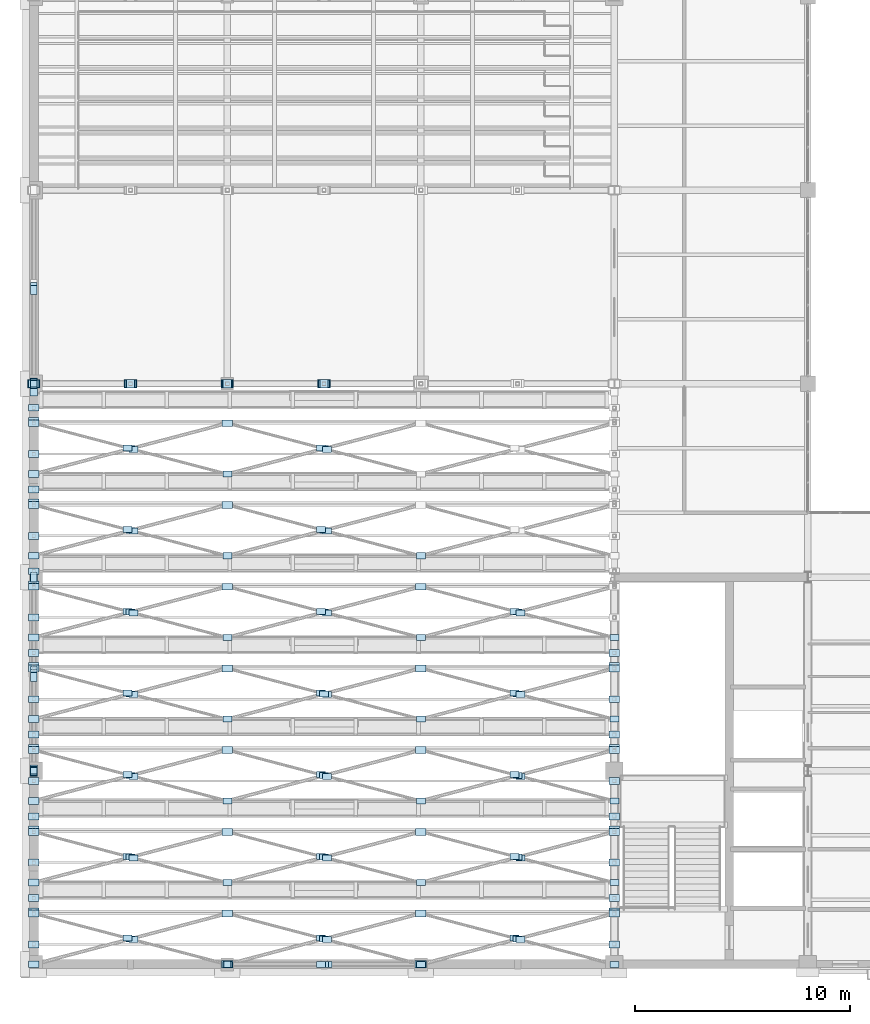
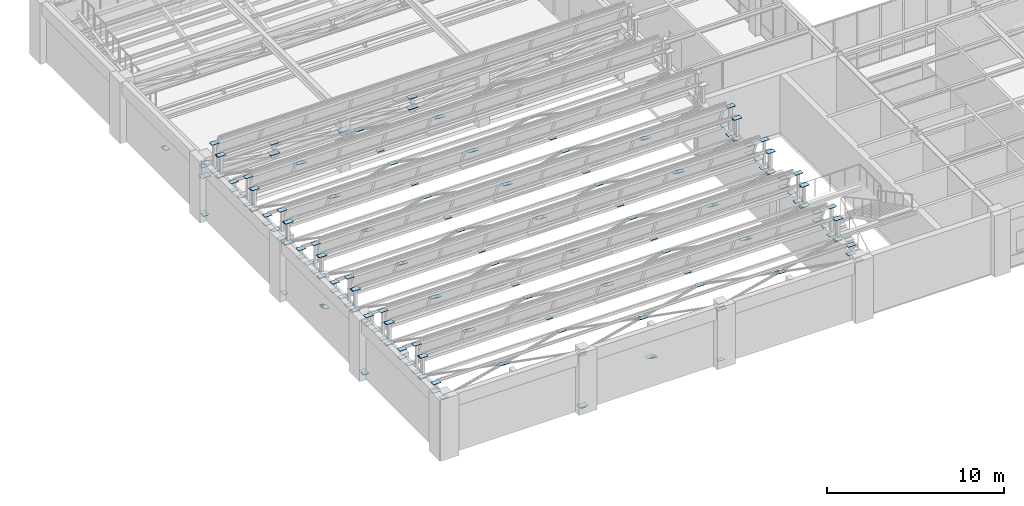
# One storey, part 87 of 108: 215 plates.
"""IFC4 building model written with IfcOpenShell, lengths in metres."""

import ifcopenshell
import ifcopenshell.guid

model = None  # the IFC model being written
_history = None  # IfcOwnerHistory: only IFC2X3 demands one
_inside = {}  # id of a spatial element -> (the spatial element, [elements in it])
_under = {}  # id of a project, library or spatial element -> (it, [spatial elements below it])
_declared = {}  # id of a project -> (the project, [libraries it declares])
_typed = {}  # id of a type object -> (the type object, [elements of that type])
_made_of = {}  # id of a material, layer set ... -> (it, [elements and type objects made of it])


def new_model(schema):
    """Start an empty IFC model of exactly this schema.

    Asked for "IFC4X3", IfcOpenShell would pick the latest addendum, in which some entities
    have other attributes; the version numbers below select the first issue.
    IFC2X3 requires an IfcOwnerHistory on every rooted entity: one is made here for all.
    """
    global model, _history
    if schema == "IFC4X3":
        model = ifcopenshell.file(schema_version=(4, 3, 0, 0))
    else:
        model = ifcopenshell.file(schema=schema)
    _inside.clear()
    _under.clear()
    _declared.clear()
    _typed.clear()
    _made_of.clear()
    _history = None
    if model.schema == "IFC2X3":
        org = make("IfcOrganization", Name="unknown")
        user = make(
            "IfcPersonAndOrganization",
            ThePerson=make("IfcPerson", FamilyName="unknown"),
            TheOrganization=org,
        )
        app = make(
            "IfcApplication",
            ApplicationDeveloper=org,
            Version="unknown",
            ApplicationFullName="unknown",
            ApplicationIdentifier="unknown",
        )
        _history = make(
            "IfcOwnerHistory",
            OwningUser=user,
            OwningApplication=app,
            ChangeAction="ADDED",
            CreationDate=0,
        )
    return model


def make(cls, **values):
    """One entity of the class cls with the attributes given. An attribute that is None is left unset."""
    return model.create_entity(
        cls, **{name: value for name, value in values.items() if value is not None}
    )


def rooted(cls, **values):
    """An entity with a GlobalId (a new one), such as an element, a storey or a relation."""
    return make(cls, GlobalId=ifcopenshell.guid.new(), OwnerHistory=_history, **values)


def si_unit(unit_type, name, prefix=None):
    """IfcSIUnit, for example si_unit("LENGTHUNIT", "METRE", prefix="MILLI")."""
    return make("IfcSIUnit", UnitType=unit_type, Prefix=prefix, Name=name)


def assignment(units):
    """IfcUnitAssignment: the units of a project."""
    return None if units is None else make("IfcUnitAssignment", Units=units)


def point(xyz):
    """IfcCartesianPoint."""
    return None if xyz is None else make("IfcCartesianPoint", Coordinates=xyz)


def direction(xyz):
    """IfcDirection."""
    return None if xyz is None else make("IfcDirection", DirectionRatios=xyz)


def frame(location, z_axis=None, x_axis=None):
    """IfcAxis2Placement3D, a coordinate frame: its origin and axes. An axis left out is left unset."""
    return make(
        "IfcAxis2Placement3D",
        Location=point(location),
        Axis=direction(z_axis),
        RefDirection=direction(x_axis),
    )


def frame_2d(location, x_axis=None):
    """IfcAxis2Placement2D, a coordinate frame in the plane: its origin and x axis."""
    return make(
        "IfcAxis2Placement2D", Location=point(location), RefDirection=direction(x_axis)
    )


def origin():
    """The frame at (0, 0, 0) with its axes left unset."""
    return frame((0.0, 0.0, 0.0))


def origin_2d():
    """The frame at (0, 0) in the plane with its x axis left unset."""
    return frame_2d((0.0, 0.0))


def place(relative_to, where):
    """IfcLocalPlacement: puts the frame where relative to a parent placement (None: the world)."""
    return make(
        "IfcLocalPlacement", PlacementRelTo=relative_to, RelativePlacement=where
    )


def context(
    kind, dimensions, precision=None, world=None, true_north=None, identifier=None
):
    """IfcGeometricRepresentationContext, for example the 3D "Model" context."""
    return make(
        "IfcGeometricRepresentationContext",
        ContextIdentifier=identifier,
        ContextType=kind,
        CoordinateSpaceDimension=dimensions,
        Precision=precision,
        WorldCoordinateSystem=world,
        TrueNorth=true_north,
    )


def subcontext(parent, identifier, kind, view, scale=None):
    """IfcGeometricRepresentationSubContext, for example "Body" below "Model"."""
    return make(
        "IfcGeometricRepresentationSubContext",
        ContextIdentifier=identifier,
        ContextType=kind,
        ParentContext=parent,
        TargetScale=scale,
        TargetView=view,
    )


def project(units=None, contexts=None):
    """IfcProject with its units and contexts."""
    return rooted(
        "IfcProject",
        Name="project",
        RepresentationContexts=contexts,
        UnitsInContext=assignment(units),
    )


def spatial(cls, under=None, at=None, **own):
    """A site, building, storey or space (cls), placed at a placement, below another one or the project."""
    s = rooted(cls, ObjectPlacement=at, **own)
    if under is not None:
        _under.setdefault(under.id(), (under, []))[1].append(s)
    return s


def profile(cls, at=None, kind="AREA", **sizes):
    """A parametric profile (cls). Its sizes go by their IFC names, for example OverallWidth=200.0."""
    return make(cls, ProfileType=kind, Position=at, **sizes)


def rectangle(**sizes):
    """IfcRectangleProfileDef."""
    return profile("IfcRectangleProfileDef", **sizes)


def extrude(swept, where, along, depth):
    """IfcExtrudedAreaSolid: the profile swept, set in the frame where, extruded along a direction by depth."""
    return make(
        "IfcExtrudedAreaSolid",
        SweptArea=swept,
        Position=where,
        ExtrudedDirection=direction(along),
        Depth=depth,
    )


def shape(context_of_items, identifier, shape_type, items):
    """IfcShapeRepresentation: the items that make up one representation, for example the "Body"."""
    return make(
        "IfcShapeRepresentation",
        ContextOfItems=context_of_items,
        RepresentationIdentifier=identifier,
        RepresentationType=shape_type,
        Items=items,
    )


def material(Name=None, Category=None):
    """IfcMaterial."""
    return make("IfcMaterial", Name=Name, Category=Category)


def layer(
    of_material, thickness, ventilated=None, Name=None, Category=None, Priority=None
):
    """IfcMaterialLayer: one layer of a wall or slab, of a material (None: an air gap)."""
    return make(
        "IfcMaterialLayer",
        Material=of_material,
        LayerThickness=thickness,
        IsVentilated=ventilated,
        Name=Name,
        Category=Category,
        Priority=Priority,
    )


def layer_set(layers, Name=None):
    """IfcMaterialLayerSet."""
    return make("IfcMaterialLayerSet", MaterialLayers=layers, LayerSetName=Name)


def made_of(thing, what):
    """Note that an element or type object is made of a material, layer set ...; save() writes the relation."""
    if what is not None:
        _made_of.setdefault(what.id(), (what, []))[1].append(thing)
    return thing


def type_object(cls, material=None, **own):
    """A type object (cls), such as IfcWallType, which elements share."""
    return made_of(rooted(cls, **own), material)


def element(
    cls,
    number,
    at=None,
    inside=None,
    cuts=None,
    type_object=None,
    material=None,
    context=None,
    identifier="Body",
    shape_type=None,
    held_by="IfcProductDefinitionShape",
    body=None,
    shapes=None,
    **own,
):
    """One element of the class cls, such as IfcWall. Its Tag is "e" and its number.

    at: its placement. inside: the storey or other place that contains it. cuts: it is an
    opening in that element (IfcRelVoidsElement). A single representation is given by context,
    identifier, shape_type and body (its items); several are given by shapes. held_by: the class
    of the entity that holds the representations. save() writes the other relations.
    """
    e = rooted(cls, Tag="e%d" % number, ObjectPlacement=at, **own)
    if body is not None:
        shapes = [shape(context, identifier, shape_type, body)]
    if shapes is not None:
        e.Representation = make(held_by, Representations=shapes)
    if inside is not None:
        _inside.setdefault(inside.id(), (inside, []))[1].append(e)
    if cuts is not None:
        rooted(
            "IfcRelVoidsElement", RelatingBuildingElement=cuts, RelatedOpeningElement=e
        )
    if type_object is not None:
        _typed.setdefault(type_object.id(), (type_object, []))[1].append(e)
    return made_of(e, material)


def aggregate(whole, parts):
    """IfcRelAggregates: a whole, such as a stair, and the parts it consists of."""
    return rooted("IfcRelAggregates", RelatingObject=whole, RelatedObjects=parts)


def save(model, path):
    """Write the relations noted so far, then the file.

    IfcRelAggregates (storeys below a building ...), IfcRelContainedInSpatialStructure (elements
    in a storey), IfcRelDefinesByType, IfcRelAssociatesMaterial and IfcRelDeclares: one each for
    every whole, place, type object, material and project.
    """
    for whole, parts in _under.values():
        aggregate(whole, parts)
    for where, things in _inside.values():
        rooted(
            "IfcRelContainedInSpatialStructure",
            RelatedElements=things,
            RelatingStructure=where,
        )
    for kind, things in _typed.values():
        rooted("IfcRelDefinesByType", RelatedObjects=things, RelatingType=kind)
    for what, things in _made_of.values():
        rooted("IfcRelAssociatesMaterial", RelatedObjects=things, RelatingMaterial=what)
    for by, libraries in _declared.values():
        rooted("IfcRelDeclares", RelatingContext=by, RelatedDefinitions=libraries)
    model.write(path)


model = new_model("IFC4")

# Units and contexts
model_context = context("Model", 3, precision=1e-05, world=origin(), true_north=direction((0.0, 1.0)))
body_context = subcontext(model_context, "Body", "Model", "MODEL_VIEW")
ifc_project = project(units=[si_unit("LENGTHUNIT", "METRE"), si_unit("AREAUNIT", "SQUARE_METRE"), si_unit("VOLUMEUNIT", "CUBIC_METRE"), si_unit("PLANEANGLEUNIT", "RADIAN"), si_unit("MASSUNIT", "GRAM", prefix="KILO")], contexts=[model_context])

# Site, building, storey
site_placement = place(None, origin())
site = spatial("IfcSite", under=ifc_project, at=site_placement, CompositionType="ELEMENT")
building_placement = place(site_placement, origin())
building = spatial("IfcBuilding", under=site, at=building_placement, Name="Lykobir Media Centre", CompositionType="ELEMENT")
storey_placement = place(building_placement, frame((0.0, 0.0, 15.0)))
storey = spatial("IfcBuildingStorey", under=building, at=storey_placement, Name="L03", CompositionType="ELEMENT", Elevation=15.0)

# Plates
ifc_material = material(Name="Steel S355", Category="steel")
ifc_layer_1 = layer(ifc_material, 0.01611328125, Name="Steel S355")
ifc_layer_set_1 = layer_set([ifc_layer_1], Name="Steel S355")
plate_type_1 = type_object("IfcPlateType", Name="CP-280", PredefinedType="SHEET", material=ifc_layer_set_1)
for number, where, z_axis, x_axis, name in (
    (1, (0.0, 9.0, 0.001953125), (0.0, 0.0, 1.0), (0.0, 1.0, 0.0), "Structural plate PLT-L03-0000-0090-0150"),
    (2, (0.0, 27.0, 0.001953125), (0.0, 0.0, 1.0), (0.0, 1.0, 0.0), "Structural plate PLT-L03-0000-0270-0150"),
    (3, (9.0, 0.0, 0.001953125), (0.0, 0.0, 1.0), (1.0, 0.0, 0.0), "Structural plate PLT-L03-0090-0000-0150"),
):
    element("IfcPlate", number, at=place(storey_placement, frame(where, z_axis=z_axis, x_axis=x_axis)), inside=storey, type_object=plate_type_1, Name=name, PredefinedType="SHEET", context=body_context, shape_type="SweptSolid", body=[
        extrude(rectangle(XDim=0.300048828125, YDim=0.300048828125, at=origin_2d()), origin(), (0.0, 0.0, 1.0), 0.01611328125),
    ])
ifc_layer_2 = layer(ifc_material, 0.02001953125, Name="Steel S355")
ifc_layer_set_2 = layer_set([ifc_layer_2], Name="Steel S355")
plate_type_2 = type_object("IfcPlateType", Name="CP-320", PredefinedType="SHEET", material=ifc_layer_set_2)
plate_placement = place(storey_placement, frame((0.0, 26.60009765625, 3.830078125), z_axis=(0.0, 0.0, 1.0), x_axis=(1.0, 0.0, 0.0)))
element("IfcPlate", 4, at=plate_placement, inside=storey, type_object=plate_type_2, Name="Structural plate PLT-L03-0000-0266-0188", PredefinedType="SHEET", context=body_context, shape_type="SweptSolid", body=[
    extrude(rectangle(XDim=0.360107421875, YDim=0.360107421875, at=origin_2d()), origin(), (0.0, 0.0, 1.0), 0.02001953125),
])
ifc_layer_3 = layer(ifc_material, 0.02197265625, Name="Steel S355")
ifc_layer_set_3 = layer_set([ifc_layer_3], Name="Steel S355")
plate_type_3 = type_object("IfcPlateType", Name="CP-360", PredefinedType="SHEET", material=ifc_layer_set_3)
for number, where, z_axis, x_axis, name in (
    (5, (4.5, 27.0, 2.448974609375), (0.0, 0.0, 1.0), (1.0, 0.0, 0.0), "Structural plate PLT-L03-0045-0270-0175"),
    (6, (9.0, 27.0, 2.448974609375), (0.0, 0.0, 1.0), (1.0, 0.0, 0.0), "Structural plate PLT-L03-0090-0270-0175"),
    (7, (13.5, 27.0, 2.448974609375), (0.0, 0.0, 1.0), (1.0, 0.0, 0.0), "Structural plate PLT-L03-0135-0270-0175"),
):
    element("IfcPlate", number, at=place(storey_placement, frame(where, z_axis=z_axis, x_axis=x_axis)), inside=storey, type_object=plate_type_3, Name=name, PredefinedType="SHEET", context=body_context, shape_type="SweptSolid", body=[
        extrude(rectangle(XDim=0.3798828125, YDim=0.3798828125, at=origin_2d()), origin(), (0.0, 0.0, 1.0), 0.02197265625),
    ])
ifc_layer_4 = layer(ifc_material, 0.02001953125, Name="Steel S355")
ifc_layer_set_4 = layer_set([ifc_layer_4], Name="Steel S355")
plate_type_4 = type_object("IfcPlateType", Name="GP-420", PredefinedType="USERDEFINED", material=ifc_layer_set_4)
for number, where, z_axis, x_axis, name in (
    (8, (4.5, 1.1806640625, 3.830078125), (0.0, 0.0, 1.0), (1.0, 0.0, 0.0), "Structural plate PLT-L03-0045-0012-0188"),
    (9, (9.0, 0.0, 3.830078125), (0.0, 0.0, 1.0), (1.0, 0.0, 0.0), "Structural plate PLT-L03-0090-0000-0188"),
    (10, (4.635498046875, 1.14501953125, 3.830078125), (0.0, 0.0, 1.0), (1.0, 0.0, 0.0), "Structural plate PLT-L03-0046-0011-0188"),
    (11, (4.364501953125, 1.216064453125, 3.830078125), (0.0, 0.0, 1.0), (1.0, 0.0, 0.0), "Structural plate PLT-L03-0044-0012-0188"),
    (12, (13.5, 1.1806640625, 3.830078125), (0.0, 0.0, 1.0), (1.0, 0.0, 0.0), "Structural plate PLT-L03-0135-0012-0188"),
    (13, (18.0, 0.0, 3.830078125), (0.0, 0.0, 1.0), (1.0, 0.0, 0.0), "Structural plate PLT-L03-0180-0000-0188"),
    (14, (13.635498046875, 1.14501953125, 3.830078125), (0.0, 0.0, 1.0), (1.0, 0.0, 0.0), "Structural plate PLT-L03-0136-0011-0188"),
    (15, (13.364501953125, 1.216064453125, 3.830078125), (0.0, 0.0, 1.0), (1.0, 0.0, 0.0), "Structural plate PLT-L03-0134-0012-0188"),
    (16, (22.5, 1.1806640625, 3.830078125), (0.0, 0.0, 1.0), (1.0, 0.0, 0.0), "Structural plate PLT-L03-0225-0012-0188"),
    (17, (27.0, 0.0, 3.830078125), (0.0, 0.0, 1.0), (1.0, 0.0, 0.0), "Structural plate PLT-L03-0270-0000-0188"),
    (18, (22.635498046875, 1.14501953125, 3.830078125), (0.0, 0.0, 1.0), (1.0, 0.0, 0.0), "Structural plate PLT-L03-0226-0011-0188"),
    (19, (22.364501953125, 1.216064453125, 3.830078125), (0.0, 0.0, 1.0), (1.0, 0.0, 0.0), "Structural plate PLT-L03-0224-0012-0188"),
    (20, (27.0, 3.800048828125, 3.830078125), (0.0, 0.0, 1.0), (1.0, 0.0, 0.0), "Structural plate PLT-L03-0270-0038-0188"),
    (21, (4.5, 4.980712890625, 3.830078125), (0.0, 0.0, 1.0), (1.0, 0.0, 0.0), "Structural plate PLT-L03-0045-0050-0188"),
    (22, (9.0, 3.800048828125, 3.830078125), (0.0, 0.0, 1.0), (1.0, 0.0, 0.0), "Structural plate PLT-L03-0090-0038-0188"),
    (23, (4.635498046875, 4.945068359375, 3.830078125), (0.0, 0.0, 1.0), (1.0, 0.0, 0.0), "Structural plate PLT-L03-0046-0049-0188"),
    (24, (4.364501953125, 5.01611328125, 3.830078125), (0.0, 0.0, 1.0), (1.0, 0.0, 0.0), "Structural plate PLT-L03-0044-0050-0188"),
    (25, (13.5, 4.980712890625, 3.830078125), (0.0, 0.0, 1.0), (1.0, 0.0, 0.0), "Structural plate PLT-L03-0135-0050-0188"),
    (26, (18.0, 3.800048828125, 3.830078125), (0.0, 0.0, 1.0), (1.0, 0.0, 0.0), "Structural plate PLT-L03-0180-0038-0188"),
    (27, (13.635498046875, 4.945068359375, 3.830078125), (0.0, 0.0, 1.0), (1.0, 0.0, 0.0), "Structural plate PLT-L03-0136-0049-0188"),
    (28, (13.364501953125, 5.01611328125, 3.830078125), (0.0, 0.0, 1.0), (1.0, 0.0, 0.0), "Structural plate PLT-L03-0134-0050-0188"),
    (29, (22.5, 4.980712890625, 3.830078125), (0.0, 0.0, 1.0), (1.0, 0.0, 0.0), "Structural plate PLT-L03-0225-0050-0188"),
    (30, (22.635498046875, 4.945068359375, 3.830078125), (0.0, 0.0, 1.0), (1.0, 0.0, 0.0), "Structural plate PLT-L03-0226-0049-0188"),
    (31, (22.364501953125, 5.01611328125, 3.830078125), (0.0, 0.0, 1.0), (1.0, 0.0, 0.0), "Structural plate PLT-L03-0224-0050-0188"),
    (32, (27.0, 7.60009765625, 3.830078125), (0.0, 0.0, 1.0), (1.0, 0.0, 0.0), "Structural plate PLT-L03-0270-0076-0188"),
    (33, (4.5, 8.780517578125, 3.830078125), (0.0, 0.0, 1.0), (1.0, 0.0, 0.0), "Structural plate PLT-L03-0045-0088-0188"),
    (34, (9.0, 7.60009765625, 3.830078125), (0.0, 0.0, 1.0), (1.0, 0.0, 0.0), "Structural plate PLT-L03-0090-0076-0188"),
    (35, (4.635498046875, 8.7451171875, 3.830078125), (0.0, 0.0, 1.0), (1.0, 0.0, 0.0), "Structural plate PLT-L03-0046-0087-0188"),
    (36, (4.364501953125, 8.816162109375, 3.830078125), (0.0, 0.0, 1.0), (1.0, 0.0, 0.0), "Structural plate PLT-L03-0044-0088-0188"),
    (37, (13.5, 8.780517578125, 3.830078125), (0.0, 0.0, 1.0), (1.0, 0.0, 0.0), "Structural plate PLT-L03-0135-0088-0188"),
    (38, (18.0, 7.60009765625, 3.830078125), (0.0, 0.0, 1.0), (1.0, 0.0, 0.0), "Structural plate PLT-L03-0180-0076-0188"),
    (39, (13.635498046875, 8.7451171875, 3.830078125), (0.0, 0.0, 1.0), (1.0, 0.0, 0.0), "Structural plate PLT-L03-0136-0087-0188"),
    (40, (13.364501953125, 8.816162109375, 3.830078125), (0.0, 0.0, 1.0), (1.0, 0.0, 0.0), "Structural plate PLT-L03-0134-0088-0188"),
    (41, (22.5, 8.780517578125, 3.830078125), (0.0, 0.0, 1.0), (1.0, 0.0, 0.0), "Structural plate PLT-L03-0225-0088-0188"),
    (42, (22.635498046875, 8.7451171875, 3.830078125), (0.0, 0.0, 1.0), (1.0, 0.0, 0.0), "Structural plate PLT-L03-0226-0087-0188"),
    (43, (22.364501953125, 8.816162109375, 3.830078125), (0.0, 0.0, 1.0), (1.0, 0.0, 0.0), "Structural plate PLT-L03-0224-0088-0188"),
    (44, (27.0, 11.39990234375, 3.830078125), (0.0, 0.0, 1.0), (1.0, 0.0, 0.0), "Structural plate PLT-L03-0270-0114-0188"),
    (45, (4.5, 12.580810546875, 3.830078125), (0.0, 0.0, 1.0), (1.0, 0.0, 0.0), "Structural plate PLT-L03-0045-0126-0188"),
    (46, (9.0, 11.39990234375, 3.830078125), (0.0, 0.0, 1.0), (1.0, 0.0, 0.0), "Structural plate PLT-L03-0090-0114-0188"),
    (47, (4.635498046875, 12.545166015625, 3.830078125), (0.0, 0.0, 1.0), (1.0, 0.0, 0.0), "Structural plate PLT-L03-0046-0125-0188"),
    (48, (4.364501953125, 12.6162109375, 3.830078125), (0.0, 0.0, 1.0), (1.0, 0.0, 0.0), "Structural plate PLT-L03-0044-0126-0188"),
    (49, (13.5, 12.580810546875, 3.830078125), (0.0, 0.0, 1.0), (1.0, 0.0, 0.0), "Structural plate PLT-L03-0135-0126-0188"),
    (50, (18.0, 11.39990234375, 3.830078125), (0.0, 0.0, 1.0), (1.0, 0.0, 0.0), "Structural plate PLT-L03-0180-0114-0188"),
    (51, (13.635498046875, 12.545166015625, 3.830078125), (0.0, 0.0, 1.0), (1.0, 0.0, 0.0), "Structural plate PLT-L03-0136-0125-0188"),
    (52, (13.364501953125, 12.6162109375, 3.830078125), (0.0, 0.0, 1.0), (1.0, 0.0, 0.0), "Structural plate PLT-L03-0134-0126-0188"),
    (53, (22.5, 12.580810546875, 3.830078125), (0.0, 0.0, 1.0), (1.0, 0.0, 0.0), "Structural plate PLT-L03-0225-0126-0188"),
    (54, (22.635498046875, 12.545166015625, 3.830078125), (0.0, 0.0, 1.0), (1.0, 0.0, 0.0), "Structural plate PLT-L03-0226-0125-0188"),
    (55, (22.364501953125, 12.6162109375, 3.830078125), (0.0, 0.0, 1.0), (1.0, 0.0, 0.0), "Structural plate PLT-L03-0224-0126-0188"),
    (56, (27.0, 15.199951171875, 3.830078125), (0.0, 0.0, 1.0), (1.0, 0.0, 0.0), "Structural plate PLT-L03-0270-0152-0188"),
    (57, (4.5, 16.380615234375, 3.830078125), (0.0, 0.0, 1.0), (1.0, 0.0, 0.0), "Structural plate PLT-L03-0045-0164-0188"),
    (58, (9.0, 15.199951171875, 3.830078125), (0.0, 0.0, 1.0), (1.0, 0.0, 0.0), "Structural plate PLT-L03-0090-0152-0188"),
    (59, (4.635498046875, 16.34521484375, 3.830078125), (0.0, 0.0, 1.0), (1.0, 0.0, 0.0), "Structural plate PLT-L03-0046-0163-0188"),
    (60, (4.364501953125, 16.416015625, 3.830078125), (0.0, 0.0, 1.0), (1.0, 0.0, 0.0), "Structural plate PLT-L03-0044-0164-0188"),
    (61, (13.5, 16.380615234375, 3.830078125), (0.0, 0.0, 1.0), (1.0, 0.0, 0.0), "Structural plate PLT-L03-0135-0164-0188"),
    (62, (18.0, 15.199951171875, 3.830078125), (0.0, 0.0, 1.0), (1.0, 0.0, 0.0), "Structural plate PLT-L03-0180-0152-0188"),
    (63, (13.635498046875, 16.34521484375, 3.830078125), (0.0, 0.0, 1.0), (1.0, 0.0, 0.0), "Structural plate PLT-L03-0136-0163-0188"),
    (64, (13.364501953125, 16.416015625, 3.830078125), (0.0, 0.0, 1.0), (1.0, 0.0, 0.0), "Structural plate PLT-L03-0134-0164-0188"),
    (65, (22.5, 16.380615234375, 3.830078125), (0.0, 0.0, 1.0), (1.0, 0.0, 0.0), "Structural plate PLT-L03-0225-0164-0188"),
    (66, (22.635498046875, 16.34521484375, 3.830078125), (0.0, 0.0, 1.0), (1.0, 0.0, 0.0), "Structural plate PLT-L03-0226-0163-0188"),
    (67, (22.364501953125, 16.416015625, 3.830078125), (0.0, 0.0, 1.0), (1.0, 0.0, 0.0), "Structural plate PLT-L03-0224-0164-0188"),
    (68, (4.5, 20.1806640625, 3.830078125), (0.0, 0.0, 1.0), (1.0, 0.0, 0.0), "Structural plate PLT-L03-0045-0202-0188"),
    (69, (9.0, 19.0, 3.830078125), (0.0, 0.0, 1.0), (1.0, 0.0, 0.0), "Structural plate PLT-L03-0090-0190-0188"),
    (70, (4.635498046875, 20.14501953125, 3.830078125), (0.0, 0.0, 1.0), (1.0, 0.0, 0.0), "Structural plate PLT-L03-0046-0201-0188"),
    (71, (4.364501953125, 20.216064453125, 3.830078125), (0.0, 0.0, 1.0), (1.0, 0.0, 0.0), "Structural plate PLT-L03-0044-0202-0188"),
    (72, (13.5, 20.1806640625, 3.830078125), (0.0, 0.0, 1.0), (1.0, 0.0, 0.0), "Structural plate PLT-L03-0135-0202-0188"),
    (73, (18.0, 19.0, 3.830078125), (0.0, 0.0, 1.0), (1.0, 0.0, 0.0), "Structural plate PLT-L03-0180-0190-0188"),
    (74, (13.635498046875, 20.14501953125, 3.830078125), (0.0, 0.0, 1.0), (1.0, 0.0, 0.0), "Structural plate PLT-L03-0136-0201-0188"),
    (75, (13.364501953125, 20.216064453125, 3.830078125), (0.0, 0.0, 1.0), (1.0, 0.0, 0.0), "Structural plate PLT-L03-0134-0202-0188"),
    (76, (4.5, 23.980712890625, 3.830078125), (0.0, 0.0, 1.0), (1.0, 0.0, 0.0), "Structural plate PLT-L03-0045-0240-0188"),
    (77, (9.0, 22.800048828125, 3.830078125), (0.0, 0.0, 1.0), (1.0, 0.0, 0.0), "Structural plate PLT-L03-0090-0228-0188"),
    (78, (4.635498046875, 23.9453125, 3.830078125), (0.0, 0.0, 1.0), (1.0, 0.0, 0.0), "Structural plate PLT-L03-0046-0239-0188"),
    (79, (4.364501953125, 24.01611328125, 3.830078125), (0.0, 0.0, 1.0), (1.0, 0.0, 0.0), "Structural plate PLT-L03-0044-0240-0188"),
    (80, (13.5, 23.980712890625, 3.830078125), (0.0, 0.0, 1.0), (1.0, 0.0, 0.0), "Structural plate PLT-L03-0135-0240-0188"),
    (81, (13.635498046875, 23.9453125, 3.830078125), (0.0, 0.0, 1.0), (1.0, 0.0, 0.0), "Structural plate PLT-L03-0136-0239-0188"),
    (82, (13.364501953125, 24.01611328125, 3.830078125), (0.0, 0.0, 1.0), (1.0, 0.0, 0.0), "Structural plate PLT-L03-0134-0240-0188"),
    (83, (0.0, 13.5, 1.869873046875), (0.0, 0.0, 1.0), (0.0, 1.0, 0.0), "Structural plate PLT-L03-0000-0135-0169"),
    (84, (0.0, 18.0, 0.110107421875), (0.0, 0.0, 1.0), (0.0, 1.0, 0.0), "Structural plate PLT-L03-0000-0180-0151"),
    (85, (0.0, 13.64892578125, 1.811767578125), (0.0, 0.0, 1.0), (0.0, 1.0, 0.0), "Structural plate PLT-L03-0000-0136-0168"),
    (86, (0.0, 13.35107421875, 1.92822265625), (0.0, 0.0, 1.0), (0.0, 1.0, 0.0), "Structural plate PLT-L03-0000-0134-0169"),
    (87, (0.0, 9.0, 3.6298828125), (0.0, 0.0, 1.0), (0.0, 1.0, 0.0), "Structural plate PLT-L03-0000-0090-0186"),
    (88, (0.0, 31.5, 1.869873046875), (0.0, 0.0, 1.0), (0.0, 1.0, 0.0), "Structural plate PLT-L03-0000-0315-0169"),
    (89, (0.0, 31.35107421875, 1.92822265625), (0.0, 0.0, 1.0), (0.0, 1.0, 0.0), "Structural plate PLT-L03-0000-0314-0169"),
    (90, (0.0, 27.0, 3.6298828125), (0.0, 0.0, 1.0), (0.0, 1.0, 0.0), "Structural plate PLT-L03-0000-0270-0186"),
    (91, (13.5, 0.0, 1.869873046875), (0.0, 0.0, 1.0), (1.0, 0.0, 0.0), "Structural plate PLT-L03-0135-0000-0169"),
    (92, (18.0, 0.0, 0.110107421875), (0.0, 0.0, 1.0), (1.0, 0.0, 0.0), "Structural plate PLT-L03-0180-0000-0151"),
    (93, (13.64892578125, 0.0, 1.811767578125), (0.0, 0.0, 1.0), (1.0, 0.0, 0.0), "Structural plate PLT-L03-0136-0000-0168"),
    (94, (13.35107421875, 0.0, 1.92822265625), (0.0, 0.0, 1.0), (1.0, 0.0, 0.0), "Structural plate PLT-L03-0134-0000-0169"),
    (95, (9.0, 0.0, 3.6298828125), (0.0, 0.0, 1.0), (1.0, 0.0, 0.0), "Structural plate PLT-L03-0090-0000-0186"),
):
    element("IfcPlate", number, at=place(storey_placement, frame(where, z_axis=z_axis, x_axis=x_axis)), inside=storey, type_object=plate_type_4, Name=name, ObjectType="GUSSET_PLATE", PredefinedType="USERDEFINED", context=body_context, shape_type="SweptSolid", body=[
        extrude(rectangle(XDim=0.419921875, YDim=0.280029296875, at=origin_2d()), origin(), (0.0, 0.0, 1.0), 0.02001953125),
    ])
ifc_layer_5 = layer(ifc_material, 0.02392578125, Name="Steel S355")
ifc_layer_set_5 = layer_set([ifc_layer_5], Name="Steel S355")
plate_type_5 = type_object("IfcPlateType", Name="GP-480", PredefinedType="USERDEFINED", material=ifc_layer_set_5)
for number, where, z_axis, x_axis, name in (
    (96, (0.0, 3.081298828125, 3.68798828125), (0.0, 0.0, 1.0), (1.0, 0.0, 0.0), "Structural plate PLT-L03-0000-0031-0187"),
    (97, (0.0, 3.081298828125, 5.616943359375), (0.0, 0.0, 1.0), (1.0, 0.0, 0.0), "Structural plate PLT-L03-0000-0031-0206"),
    (98, (27.0, 3.081298828125, 3.68798828125), (0.0, 0.0, 1.0), (1.0, 0.0, 0.0), "Structural plate PLT-L03-0270-0031-0187"),
    (99, (27.0, 3.081298828125, 5.616943359375), (0.0, 0.0, 1.0), (1.0, 0.0, 0.0), "Structural plate PLT-L03-0270-0031-0206"),
    (100, (0.0, 2.361328125, 3.828125), (0.0, 0.0, 1.0), (1.0, 0.0, 0.0), "Structural plate PLT-L03-0000-0024-0188"),
    (101, (0.0, 2.361328125, 5.2314453125), (0.0, 0.0, 1.0), (1.0, 0.0, 0.0), "Structural plate PLT-L03-0000-0024-0202"),
    (102, (27.0, 2.361328125, 3.828125), (0.0, 0.0, 1.0), (1.0, 0.0, 0.0), "Structural plate PLT-L03-0270-0024-0188"),
    (103, (27.0, 2.361328125, 5.2314453125), (0.0, 0.0, 1.0), (1.0, 0.0, 0.0), "Structural plate PLT-L03-0270-0024-0202"),
    (104, (0.0, 0.0, 3.828125), (0.0, 0.0, 1.0), (1.0, 0.0, 0.0), "Structural plate PLT-L03-0000-0000-0188"),
    (105, (9.0, 2.361328125, 3.828125), (0.0, 0.0, 1.0), (1.0, 0.0, 0.0), "Structural plate PLT-L03-0090-0024-0188"),
    (106, (18.0, 2.361328125, 3.828125), (0.0, 0.0, 1.0), (1.0, 0.0, 0.0), "Structural plate PLT-L03-0180-0024-0188"),
    (107, (0.0, 0.92724609375, 3.68798828125), (0.0, 0.0, 1.0), (1.0, 0.0, 0.0), "Structural plate PLT-L03-0000-0009-0187"),
    (108, (0.0, 0.92724609375, 4.270751953125), (0.0, 0.0, 1.0), (1.0, 0.0, 0.0), "Structural plate PLT-L03-0000-0009-0193"),
    (109, (27.0, 0.92724609375, 3.68798828125), (0.0, 0.0, 1.0), (1.0, 0.0, 0.0), "Structural plate PLT-L03-0270-0009-0187"),
    (110, (27.0, 0.92724609375, 4.270751953125), (0.0, 0.0, 1.0), (1.0, 0.0, 0.0), "Structural plate PLT-L03-0270-0009-0193"),
    (111, (0.0, 2.468017578125, 3.68798828125), (0.0, 0.0, 1.0), (1.0, 0.0, 0.0), "Structural plate PLT-L03-0000-0025-0187"),
    (112, (0.0, 2.468017578125, 5.160400390625), (0.0, 0.0, 1.0), (1.0, 0.0, 0.0), "Structural plate PLT-L03-0000-0025-0202"),
    (113, (27.0, 2.468017578125, 3.68798828125), (0.0, 0.0, 1.0), (1.0, 0.0, 0.0), "Structural plate PLT-L03-0270-0025-0187"),
    (114, (27.0, 2.468017578125, 5.160400390625), (0.0, 0.0, 1.0), (1.0, 0.0, 0.0), "Structural plate PLT-L03-0270-0025-0202"),
    (115, (0.0, 3.800048828125, 3.828125), (0.0, 0.0, 1.0), (1.0, 0.0, 0.0), "Structural plate PLT-L03-0000-0038-0188"),
    (116, (0.0, 6.88134765625, 3.68798828125), (0.0, 0.0, 1.0), (1.0, 0.0, 0.0), "Structural plate PLT-L03-0000-0069-0187"),
    (117, (0.0, 6.88134765625, 5.616943359375), (0.0, 0.0, 1.0), (1.0, 0.0, 0.0), "Structural plate PLT-L03-0000-0069-0206"),
    (118, (27.0, 6.88134765625, 3.68798828125), (0.0, 0.0, 1.0), (1.0, 0.0, 0.0), "Structural plate PLT-L03-0270-0069-0187"),
    (119, (27.0, 6.88134765625, 5.616943359375), (0.0, 0.0, 1.0), (1.0, 0.0, 0.0), "Structural plate PLT-L03-0270-0069-0206"),
    (120, (0.0, 6.161376953125, 3.828125), (0.0, 0.0, 1.0), (1.0, 0.0, 0.0), "Structural plate PLT-L03-0000-0062-0188"),
    (121, (0.0, 6.161376953125, 5.2314453125), (0.0, 0.0, 1.0), (1.0, 0.0, 0.0), "Structural plate PLT-L03-0000-0062-0202"),
    (122, (27.0, 6.161376953125, 3.828125), (0.0, 0.0, 1.0), (1.0, 0.0, 0.0), "Structural plate PLT-L03-0270-0062-0188"),
    (123, (27.0, 6.161376953125, 5.2314453125), (0.0, 0.0, 1.0), (1.0, 0.0, 0.0), "Structural plate PLT-L03-0270-0062-0202"),
    (124, (9.0, 6.161376953125, 3.828125), (0.0, 0.0, 1.0), (1.0, 0.0, 0.0), "Structural plate PLT-L03-0090-0062-0188"),
    (125, (18.0, 6.161376953125, 3.828125), (0.0, 0.0, 1.0), (1.0, 0.0, 0.0), "Structural plate PLT-L03-0180-0062-0188"),
    (126, (0.0, 4.727294921875, 3.68798828125), (0.0, 0.0, 1.0), (1.0, 0.0, 0.0), "Structural plate PLT-L03-0000-0047-0187"),
    (127, (0.0, 4.727294921875, 4.270751953125), (0.0, 0.0, 1.0), (1.0, 0.0, 0.0), "Structural plate PLT-L03-0000-0047-0193"),
    (128, (27.0, 4.727294921875, 3.68798828125), (0.0, 0.0, 1.0), (1.0, 0.0, 0.0), "Structural plate PLT-L03-0270-0047-0187"),
    (129, (27.0, 4.727294921875, 4.270751953125), (0.0, 0.0, 1.0), (1.0, 0.0, 0.0), "Structural plate PLT-L03-0270-0047-0193"),
    (130, (0.0, 6.267822265625, 3.68798828125), (0.0, 0.0, 1.0), (1.0, 0.0, 0.0), "Structural plate PLT-L03-0000-0063-0187"),
    (131, (0.0, 6.267822265625, 5.160400390625), (0.0, 0.0, 1.0), (1.0, 0.0, 0.0), "Structural plate PLT-L03-0000-0063-0202"),
    (132, (27.0, 6.267822265625, 3.68798828125), (0.0, 0.0, 1.0), (1.0, 0.0, 0.0), "Structural plate PLT-L03-0270-0063-0187"),
    (133, (27.0, 6.267822265625, 5.160400390625), (0.0, 0.0, 1.0), (1.0, 0.0, 0.0), "Structural plate PLT-L03-0270-0063-0202"),
    (134, (0.0, 7.60009765625, 3.828125), (0.0, 0.0, 1.0), (1.0, 0.0, 0.0), "Structural plate PLT-L03-0000-0076-0188"),
    (135, (0.0, 10.681396484375, 3.68798828125), (0.0, 0.0, 1.0), (1.0, 0.0, 0.0), "Structural plate PLT-L03-0000-0107-0187"),
    (136, (0.0, 10.681396484375, 5.616943359375), (0.0, 0.0, 1.0), (1.0, 0.0, 0.0), "Structural plate PLT-L03-0000-0107-0206"),
    (137, (27.0, 10.681396484375, 3.68798828125), (0.0, 0.0, 1.0), (1.0, 0.0, 0.0), "Structural plate PLT-L03-0270-0107-0187"),
    (138, (27.0, 10.681396484375, 5.616943359375), (0.0, 0.0, 1.0), (1.0, 0.0, 0.0), "Structural plate PLT-L03-0270-0107-0206"),
    (139, (0.0, 9.961181640625, 3.828125), (0.0, 0.0, 1.0), (1.0, 0.0, 0.0), "Structural plate PLT-L03-0000-0100-0188"),
    (140, (0.0, 9.961181640625, 5.2314453125), (0.0, 0.0, 1.0), (1.0, 0.0, 0.0), "Structural plate PLT-L03-0000-0100-0202"),
    (141, (27.0, 9.961181640625, 3.828125), (0.0, 0.0, 1.0), (1.0, 0.0, 0.0), "Structural plate PLT-L03-0270-0100-0188"),
    (142, (27.0, 9.961181640625, 5.2314453125), (0.0, 0.0, 1.0), (1.0, 0.0, 0.0), "Structural plate PLT-L03-0270-0100-0202"),
    (143, (9.0, 9.961181640625, 3.828125), (0.0, 0.0, 1.0), (1.0, 0.0, 0.0), "Structural plate PLT-L03-0090-0100-0188"),
    (144, (18.0, 9.961181640625, 3.828125), (0.0, 0.0, 1.0), (1.0, 0.0, 0.0), "Structural plate PLT-L03-0180-0100-0188"),
    (145, (0.0, 8.52734375, 3.68798828125), (0.0, 0.0, 1.0), (1.0, 0.0, 0.0), "Structural plate PLT-L03-0000-0085-0187"),
    (146, (0.0, 8.52734375, 4.270751953125), (0.0, 0.0, 1.0), (1.0, 0.0, 0.0), "Structural plate PLT-L03-0000-0085-0193"),
    (147, (27.0, 8.52734375, 3.68798828125), (0.0, 0.0, 1.0), (1.0, 0.0, 0.0), "Structural plate PLT-L03-0270-0085-0187"),
    (148, (27.0, 8.52734375, 4.270751953125), (0.0, 0.0, 1.0), (1.0, 0.0, 0.0), "Structural plate PLT-L03-0270-0085-0193"),
    (149, (0.0, 10.06787109375, 3.68798828125), (0.0, 0.0, 1.0), (1.0, 0.0, 0.0), "Structural plate PLT-L03-0000-0101-0187"),
    (150, (0.0, 10.06787109375, 5.160400390625), (0.0, 0.0, 1.0), (1.0, 0.0, 0.0), "Structural plate PLT-L03-0000-0101-0202"),
    (151, (27.0, 10.06787109375, 3.68798828125), (0.0, 0.0, 1.0), (1.0, 0.0, 0.0), "Structural plate PLT-L03-0270-0101-0187"),
    (152, (27.0, 10.06787109375, 5.160400390625), (0.0, 0.0, 1.0), (1.0, 0.0, 0.0), "Structural plate PLT-L03-0270-0101-0202"),
    (153, (0.0, 11.39990234375, 3.828125), (0.0, 0.0, 1.0), (1.0, 0.0, 0.0), "Structural plate PLT-L03-0000-0114-0188"),
    (154, (0.0, 14.481201171875, 3.68798828125), (0.0, 0.0, 1.0), (1.0, 0.0, 0.0), "Structural plate PLT-L03-0000-0145-0187"),
    (155, (0.0, 14.481201171875, 5.616943359375), (0.0, 0.0, 1.0), (1.0, 0.0, 0.0), "Structural plate PLT-L03-0000-0145-0206"),
    (156, (27.0, 14.481201171875, 3.68798828125), (0.0, 0.0, 1.0), (1.0, 0.0, 0.0), "Structural plate PLT-L03-0270-0145-0187"),
    (157, (27.0, 14.481201171875, 5.616943359375), (0.0, 0.0, 1.0), (1.0, 0.0, 0.0), "Structural plate PLT-L03-0270-0145-0206"),
    (158, (0.0, 13.76123046875, 3.828125), (0.0, 0.0, 1.0), (1.0, 0.0, 0.0), "Structural plate PLT-L03-0000-0138-0188"),
    (159, (0.0, 13.76123046875, 5.2314453125), (0.0, 0.0, 1.0), (1.0, 0.0, 0.0), "Structural plate PLT-L03-0000-0138-0202"),
    (160, (27.0, 13.76123046875, 3.828125), (0.0, 0.0, 1.0), (1.0, 0.0, 0.0), "Structural plate PLT-L03-0270-0138-0188"),
    (161, (27.0, 13.76123046875, 5.2314453125), (0.0, 0.0, 1.0), (1.0, 0.0, 0.0), "Structural plate PLT-L03-0270-0138-0202"),
    (162, (9.0, 13.76123046875, 3.828125), (0.0, 0.0, 1.0), (1.0, 0.0, 0.0), "Structural plate PLT-L03-0090-0138-0188"),
    (163, (18.0, 13.76123046875, 3.828125), (0.0, 0.0, 1.0), (1.0, 0.0, 0.0), "Structural plate PLT-L03-0180-0138-0188"),
    (164, (0.0, 12.327392578125, 3.68798828125), (0.0, 0.0, 1.0), (1.0, 0.0, 0.0), "Structural plate PLT-L03-0000-0123-0187"),
    (165, (0.0, 12.327392578125, 4.270751953125), (0.0, 0.0, 1.0), (1.0, 0.0, 0.0), "Structural plate PLT-L03-0000-0123-0193"),
    (166, (27.0, 12.327392578125, 3.68798828125), (0.0, 0.0, 1.0), (1.0, 0.0, 0.0), "Structural plate PLT-L03-0270-0123-0187"),
    (167, (27.0, 12.327392578125, 4.270751953125), (0.0, 0.0, 1.0), (1.0, 0.0, 0.0), "Structural plate PLT-L03-0270-0123-0193"),
    (168, (0.0, 13.867919921875, 3.68798828125), (0.0, 0.0, 1.0), (1.0, 0.0, 0.0), "Structural plate PLT-L03-0000-0139-0187"),
    (169, (0.0, 13.867919921875, 5.160400390625), (0.0, 0.0, 1.0), (1.0, 0.0, 0.0), "Structural plate PLT-L03-0000-0139-0202"),
    (170, (27.0, 13.867919921875, 3.68798828125), (0.0, 0.0, 1.0), (1.0, 0.0, 0.0), "Structural plate PLT-L03-0270-0139-0187"),
    (171, (27.0, 13.867919921875, 5.160400390625), (0.0, 0.0, 1.0), (1.0, 0.0, 0.0), "Structural plate PLT-L03-0270-0139-0202"),
    (172, (0.0, 15.199951171875, 3.828125), (0.0, 0.0, 1.0), (1.0, 0.0, 0.0), "Structural plate PLT-L03-0000-0152-0188"),
    (173, (0.0, 18.28125, 3.68798828125), (0.0, 0.0, 1.0), (1.0, 0.0, 0.0), "Structural plate PLT-L03-0000-0183-0187"),
    (174, (0.0, 18.28125, 5.616943359375), (0.0, 0.0, 1.0), (1.0, 0.0, 0.0), "Structural plate PLT-L03-0000-0183-0206"),
    (175, (0.0, 17.561279296875, 3.828125), (0.0, 0.0, 1.0), (1.0, 0.0, 0.0), "Structural plate PLT-L03-0000-0176-0188"),
    (176, (0.0, 17.561279296875, 5.2314453125), (0.0, 0.0, 1.0), (1.0, 0.0, 0.0), "Structural plate PLT-L03-0000-0176-0202"),
    (177, (9.0, 17.561279296875, 3.828125), (0.0, 0.0, 1.0), (1.0, 0.0, 0.0), "Structural plate PLT-L03-0090-0176-0188"),
    (178, (18.0, 17.561279296875, 3.828125), (0.0, 0.0, 1.0), (1.0, 0.0, 0.0), "Structural plate PLT-L03-0180-0176-0188"),
    (179, (0.0, 16.127197265625, 3.68798828125), (0.0, 0.0, 1.0), (1.0, 0.0, 0.0), "Structural plate PLT-L03-0000-0161-0187"),
    (180, (0.0, 16.127197265625, 4.270751953125), (0.0, 0.0, 1.0), (1.0, 0.0, 0.0), "Structural plate PLT-L03-0000-0161-0193"),
    (181, (0.0, 17.66796875, 3.68798828125), (0.0, 0.0, 1.0), (1.0, 0.0, 0.0), "Structural plate PLT-L03-0000-0177-0187"),
    (182, (0.0, 17.66796875, 5.160400390625), (0.0, 0.0, 1.0), (1.0, 0.0, 0.0), "Structural plate PLT-L03-0000-0177-0202"),
    (183, (0.0, 19.0, 3.828125), (0.0, 0.0, 1.0), (1.0, 0.0, 0.0), "Structural plate PLT-L03-0000-0190-0188"),
    (184, (0.0, 22.081298828125, 3.68798828125), (0.0, 0.0, 1.0), (1.0, 0.0, 0.0), "Structural plate PLT-L03-0000-0221-0187"),
    (185, (0.0, 22.081298828125, 5.616943359375), (0.0, 0.0, 1.0), (1.0, 0.0, 0.0), "Structural plate PLT-L03-0000-0221-0206"),
    (186, (0.0, 21.361328125, 3.828125), (0.0, 0.0, 1.0), (1.0, 0.0, 0.0), "Structural plate PLT-L03-0000-0214-0188"),
    (187, (0.0, 21.361328125, 5.2314453125), (0.0, 0.0, 1.0), (1.0, 0.0, 0.0), "Structural plate PLT-L03-0000-0214-0202"),
    (188, (9.0, 21.361328125, 3.828125), (0.0, 0.0, 1.0), (1.0, 0.0, 0.0), "Structural plate PLT-L03-0090-0214-0188"),
    (189, (0.0, 19.92724609375, 3.68798828125), (0.0, 0.0, 1.0), (1.0, 0.0, 0.0), "Structural plate PLT-L03-0000-0199-0187"),
    (190, (0.0, 19.92724609375, 4.270751953125), (0.0, 0.0, 1.0), (1.0, 0.0, 0.0), "Structural plate PLT-L03-0000-0199-0193"),
    (191, (0.0, 21.468017578125, 3.68798828125), (0.0, 0.0, 1.0), (1.0, 0.0, 0.0), "Structural plate PLT-L03-0000-0215-0187"),
    (192, (0.0, 21.468017578125, 5.160400390625), (0.0, 0.0, 1.0), (1.0, 0.0, 0.0), "Structural plate PLT-L03-0000-0215-0202"),
    (193, (0.0, 22.800048828125, 3.828125), (0.0, 0.0, 1.0), (1.0, 0.0, 0.0), "Structural plate PLT-L03-0000-0228-0188"),
    (194, (0.0, 25.88134765625, 3.68798828125), (0.0, 0.0, 1.0), (1.0, 0.0, 0.0), "Structural plate PLT-L03-0000-0259-0187"),
    (195, (0.0, 25.88134765625, 5.616943359375), (0.0, 0.0, 1.0), (1.0, 0.0, 0.0), "Structural plate PLT-L03-0000-0259-0206"),
    (196, (0.0, 25.161376953125, 3.828125), (0.0, 0.0, 1.0), (1.0, 0.0, 0.0), "Structural plate PLT-L03-0000-0252-0188"),
    (197, (0.0, 25.161376953125, 5.2314453125), (0.0, 0.0, 1.0), (1.0, 0.0, 0.0), "Structural plate PLT-L03-0000-0252-0202"),
    (198, (9.0, 25.161376953125, 3.828125), (0.0, 0.0, 1.0), (1.0, 0.0, 0.0), "Structural plate PLT-L03-0090-0252-0188"),
    (199, (0.0, 23.727294921875, 3.68798828125), (0.0, 0.0, 1.0), (1.0, 0.0, 0.0), "Structural plate PLT-L03-0000-0237-0187"),
    (200, (0.0, 23.727294921875, 4.270751953125), (0.0, 0.0, 1.0), (1.0, 0.0, 0.0), "Structural plate PLT-L03-0000-0237-0193"),
    (201, (0.0, 25.267822265625, 3.68798828125), (0.0, 0.0, 1.0), (1.0, 0.0, 0.0), "Structural plate PLT-L03-0000-0253-0187"),
    (202, (0.0, 25.267822265625, 5.160400390625), (0.0, 0.0, 1.0), (1.0, 0.0, 0.0), "Structural plate PLT-L03-0000-0253-0202"),
):
    element("IfcPlate", number, at=place(storey_placement, frame(where, z_axis=z_axis, x_axis=x_axis)), inside=storey, type_object=plate_type_5, Name=name, ObjectType="GUSSET_PLATE", PredefinedType="USERDEFINED", context=body_context, shape_type="SweptSolid", body=[
        extrude(rectangle(XDim=0.47998046875, YDim=0.320068359375, at=origin_2d()), origin(), (0.0, 0.0, 1.0), 0.02392578125),
    ])
ifc_layer_6 = layer(ifc_material, 0.02587890625, Name="Steel S355")
ifc_layer_set_6 = layer_set([ifc_layer_6], Name="Steel S355")
plate_type_6 = type_object("IfcPlateType", Name="GP-500", PredefinedType="USERDEFINED", material=ifc_layer_set_6)
for number, where, z_axis, x_axis, name in (
    (203, (0.0, 27.0, 3.386962890625), (0.0, 0.0, 1.0), (1.0, 0.0, 0.0), "Structural plate PLT-L03-0000-0270-0184"),
    (204, (4.5, 27.0, 3.386962890625), (0.0, 0.0, 1.0), (1.0, 0.0, 0.0), "Structural plate PLT-L03-0045-0270-0184"),
    (205, (9.0, 27.0, 3.386962890625), (0.0, 0.0, 1.0), (1.0, 0.0, 0.0), "Structural plate PLT-L03-0090-0270-0184"),
    (206, (13.5, 27.0, 3.386962890625), (0.0, 0.0, 1.0), (1.0, 0.0, 0.0), "Structural plate PLT-L03-0135-0270-0184"),
):
    element("IfcPlate", number, at=place(storey_placement, frame(where, z_axis=z_axis, x_axis=x_axis)), inside=storey, type_object=plate_type_6, Name=name, ObjectType="GUSSET_PLATE", PredefinedType="USERDEFINED", context=body_context, shape_type="SweptSolid", body=[
        extrude(rectangle(XDim=0.5, YDim=0.340087890625, at=origin_2d()), origin(), (0.0, 0.0, 1.0), 0.02587890625),
    ])
ifc_layer_7 = layer(ifc_material, 0.028076171875, Name="Steel S355")
ifc_layer_set_7 = layer_set([ifc_layer_7], Name="Steel S355")
plate_type_7 = type_object("IfcPlateType", Name="GP-540", PredefinedType="USERDEFINED", material=ifc_layer_set_7)
for number, where, z_axis, x_axis, name in (
    (207, (0.0, 9.0, 0.10595703125), (0.0, 0.0, 1.0), (0.0, 1.0, 0.0), "Structural plate PLT-L03-0000-0090-0151"),
    (208, (0.0, 18.0, 3.6259765625), (0.0, 0.0, 1.0), (0.0, 1.0, 0.0), "Structural plate PLT-L03-0000-0180-0186"),
    (209, (0.0, 27.0, 0.10595703125), (0.0, 0.0, 1.0), (0.0, 1.0, 0.0), "Structural plate PLT-L03-0000-0270-0151"),
    (210, (9.0, 0.0, 0.10595703125), (0.0, 0.0, 1.0), (1.0, 0.0, 0.0), "Structural plate PLT-L03-0090-0000-0151"),
    (211, (18.0, 0.0, 3.6259765625), (0.0, 0.0, 1.0), (1.0, 0.0, 0.0), "Structural plate PLT-L03-0180-0000-0186"),
):
    element("IfcPlate", number, at=place(storey_placement, frame(where, z_axis=z_axis, x_axis=x_axis)), inside=storey, type_object=plate_type_7, Name=name, ObjectType="GUSSET_PLATE", PredefinedType="USERDEFINED", context=body_context, shape_type="SweptSolid", body=[
        extrude(rectangle(XDim=0.5400390625, YDim=0.360107421875, at=origin_2d()), origin(), (0.0, 0.0, 1.0), 0.028076171875),
    ])
ifc_layer_8 = layer(ifc_material, 0.031982421875, Name="Steel S355")
ifc_layer_set_8 = layer_set([ifc_layer_8], Name="Steel S355")
plate_type_8 = type_object("IfcPlateType", Name="GP-600", PredefinedType="USERDEFINED", material=ifc_layer_set_8)
for number, where, z_axis, x_axis, name in (
    (212, (0.0, 27.0, 2.68408203125), (0.0, 0.0, 1.0), (1.0, 0.0, 0.0), "Structural plate PLT-L03-0000-0270-0177"),
    (213, (4.5, 27.0, 2.68408203125), (0.0, 0.0, 1.0), (1.0, 0.0, 0.0), "Structural plate PLT-L03-0045-0270-0177"),
    (214, (9.0, 27.0, 2.68408203125), (0.0, 0.0, 1.0), (1.0, 0.0, 0.0), "Structural plate PLT-L03-0090-0270-0177"),
    (215, (13.5, 27.0, 2.68408203125), (0.0, 0.0, 1.0), (1.0, 0.0, 0.0), "Structural plate PLT-L03-0135-0270-0177"),
):
    element("IfcPlate", number, at=place(storey_placement, frame(where, z_axis=z_axis, x_axis=x_axis)), inside=storey, type_object=plate_type_8, Name=name, ObjectType="GUSSET_PLATE", PredefinedType="USERDEFINED", context=body_context, shape_type="SweptSolid", body=[
        extrude(rectangle(XDim=0.60009765625, YDim=0.39990234375, at=origin_2d()), origin(), (0.0, 0.0, 1.0), 0.031982421875),
    ])

save(model, "model.ifc")
